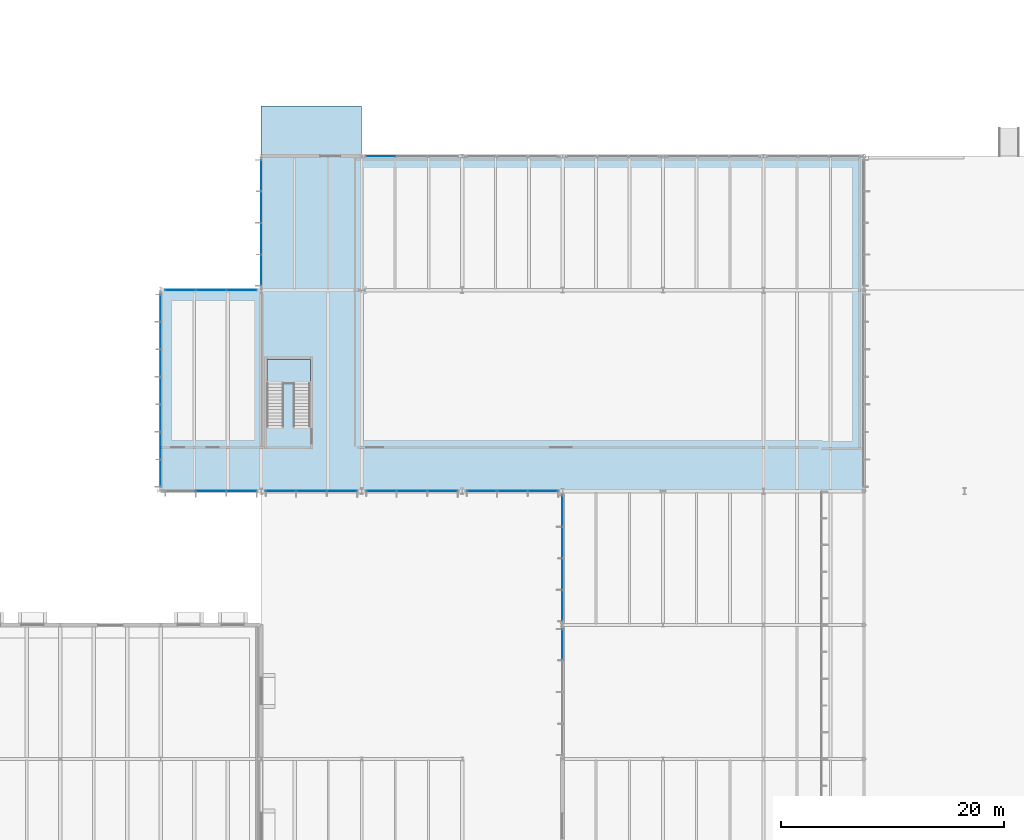
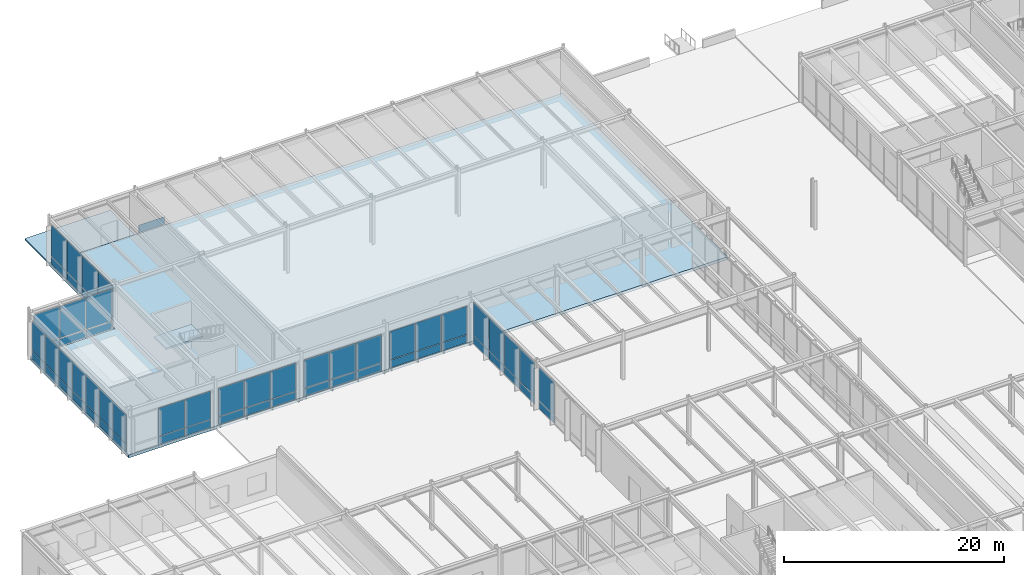
# One storey, part 107 of 143: 61 plates, 3 slabs, 11 elements without a shape of their own.
"""IFC4 building model written with IfcOpenShell, lengths in metres."""

import ifcopenshell
import ifcopenshell.guid

model = None  # the IFC model being written
_history = None  # IfcOwnerHistory: only IFC2X3 demands one
_inside = {}  # id of a spatial element -> (the spatial element, [elements in it])
_under = {}  # id of a project, library or spatial element -> (it, [spatial elements below it])
_declared = {}  # id of a project -> (the project, [libraries it declares])
_typed = {}  # id of a type object -> (the type object, [elements of that type])
_made_of = {}  # id of a material, layer set ... -> (it, [elements and type objects made of it])


def new_model(schema):
    """Start an empty IFC model of exactly this schema.

    Asked for "IFC4X3", IfcOpenShell would pick the latest addendum, in which some entities
    have other attributes; the version numbers below select the first issue.
    IFC2X3 requires an IfcOwnerHistory on every rooted entity: one is made here for all.
    """
    global model, _history
    if schema == "IFC4X3":
        model = ifcopenshell.file(schema_version=(4, 3, 0, 0))
    else:
        model = ifcopenshell.file(schema=schema)
    _inside.clear()
    _under.clear()
    _declared.clear()
    _typed.clear()
    _made_of.clear()
    _history = None
    if model.schema == "IFC2X3":
        org = make("IfcOrganization", Name="unknown")
        user = make(
            "IfcPersonAndOrganization",
            ThePerson=make("IfcPerson", FamilyName="unknown"),
            TheOrganization=org,
        )
        app = make(
            "IfcApplication",
            ApplicationDeveloper=org,
            Version="unknown",
            ApplicationFullName="unknown",
            ApplicationIdentifier="unknown",
        )
        _history = make(
            "IfcOwnerHistory",
            OwningUser=user,
            OwningApplication=app,
            ChangeAction="ADDED",
            CreationDate=0,
        )
    return model


def make(cls, **values):
    """One entity of the class cls with the attributes given. An attribute that is None is left unset."""
    return model.create_entity(
        cls, **{name: value for name, value in values.items() if value is not None}
    )


def rooted(cls, **values):
    """An entity with a GlobalId (a new one), such as an element, a storey or a relation."""
    return make(cls, GlobalId=ifcopenshell.guid.new(), OwnerHistory=_history, **values)


def si_unit(unit_type, name, prefix=None):
    """IfcSIUnit, for example si_unit("LENGTHUNIT", "METRE", prefix="MILLI")."""
    return make("IfcSIUnit", UnitType=unit_type, Prefix=prefix, Name=name)


def assignment(units):
    """IfcUnitAssignment: the units of a project."""
    return None if units is None else make("IfcUnitAssignment", Units=units)


def point(xyz):
    """IfcCartesianPoint."""
    return None if xyz is None else make("IfcCartesianPoint", Coordinates=xyz)


def direction(xyz):
    """IfcDirection."""
    return None if xyz is None else make("IfcDirection", DirectionRatios=xyz)


def frame(location, z_axis=None, x_axis=None):
    """IfcAxis2Placement3D, a coordinate frame: its origin and axes. An axis left out is left unset."""
    return make(
        "IfcAxis2Placement3D",
        Location=point(location),
        Axis=direction(z_axis),
        RefDirection=direction(x_axis),
    )


def frame_2d(location, x_axis=None):
    """IfcAxis2Placement2D, a coordinate frame in the plane: its origin and x axis."""
    return make(
        "IfcAxis2Placement2D", Location=point(location), RefDirection=direction(x_axis)
    )


def origin():
    """The frame at (0, 0, 0) with its axes left unset."""
    return frame((0.0, 0.0, 0.0))


def origin_2d():
    """The frame at (0, 0) in the plane with its x axis left unset."""
    return frame_2d((0.0, 0.0))


def place(relative_to, where):
    """IfcLocalPlacement: puts the frame where relative to a parent placement (None: the world)."""
    return make(
        "IfcLocalPlacement", PlacementRelTo=relative_to, RelativePlacement=where
    )


def context(
    kind, dimensions, precision=None, world=None, true_north=None, identifier=None
):
    """IfcGeometricRepresentationContext, for example the 3D "Model" context."""
    return make(
        "IfcGeometricRepresentationContext",
        ContextIdentifier=identifier,
        ContextType=kind,
        CoordinateSpaceDimension=dimensions,
        Precision=precision,
        WorldCoordinateSystem=world,
        TrueNorth=true_north,
    )


def subcontext(parent, identifier, kind, view, scale=None):
    """IfcGeometricRepresentationSubContext, for example "Body" below "Model"."""
    return make(
        "IfcGeometricRepresentationSubContext",
        ContextIdentifier=identifier,
        ContextType=kind,
        ParentContext=parent,
        TargetScale=scale,
        TargetView=view,
    )


def project(units=None, contexts=None):
    """IfcProject with its units and contexts."""
    return rooted(
        "IfcProject",
        Name="project",
        RepresentationContexts=contexts,
        UnitsInContext=assignment(units),
    )


def spatial(cls, under=None, at=None, **own):
    """A site, building, storey or space (cls), placed at a placement, below another one or the project."""
    s = rooted(cls, ObjectPlacement=at, **own)
    if under is not None:
        _under.setdefault(under.id(), (under, []))[1].append(s)
    return s


def polyline(points):
    """IfcPolyline through the points."""
    return make("IfcPolyline", Points=[point(p) for p in points])


def profile(cls, at=None, kind="AREA", **sizes):
    """A parametric profile (cls). Its sizes go by their IFC names, for example OverallWidth=200.0."""
    return make(cls, ProfileType=kind, Position=at, **sizes)


def rectangle(**sizes):
    """IfcRectangleProfileDef."""
    return profile("IfcRectangleProfileDef", **sizes)


def outline(outer, holes=None, kind="AREA"):
    """IfcArbitraryClosedProfileDef: a profile drawn as a closed curve; with holes, ...WithVoids."""
    if holes is None:
        return make("IfcArbitraryClosedProfileDef", ProfileType=kind, OuterCurve=outer)
    return make(
        "IfcArbitraryProfileDefWithVoids",
        ProfileType=kind,
        OuterCurve=outer,
        InnerCurves=holes,
    )


def extrude(swept, where, along, depth):
    """IfcExtrudedAreaSolid: the profile swept, set in the frame where, extruded along a direction by depth."""
    return make(
        "IfcExtrudedAreaSolid",
        SweptArea=swept,
        Position=where,
        ExtrudedDirection=direction(along),
        Depth=depth,
    )


def shape(context_of_items, identifier, shape_type, items):
    """IfcShapeRepresentation: the items that make up one representation, for example the "Body"."""
    return make(
        "IfcShapeRepresentation",
        ContextOfItems=context_of_items,
        RepresentationIdentifier=identifier,
        RepresentationType=shape_type,
        Items=items,
    )


def material(Name=None, Category=None):
    """IfcMaterial."""
    return make("IfcMaterial", Name=Name, Category=Category)


def layer(
    of_material, thickness, ventilated=None, Name=None, Category=None, Priority=None
):
    """IfcMaterialLayer: one layer of a wall or slab, of a material (None: an air gap)."""
    return make(
        "IfcMaterialLayer",
        Material=of_material,
        LayerThickness=thickness,
        IsVentilated=ventilated,
        Name=Name,
        Category=Category,
        Priority=Priority,
    )


def layer_set(layers, Name=None):
    """IfcMaterialLayerSet."""
    return make("IfcMaterialLayerSet", MaterialLayers=layers, LayerSetName=Name)


def made_of(thing, what):
    """Note that an element or type object is made of a material, layer set ...; save() writes the relation."""
    if what is not None:
        _made_of.setdefault(what.id(), (what, []))[1].append(thing)
    return thing


def type_object(cls, material=None, **own):
    """A type object (cls), such as IfcWallType, which elements share."""
    return made_of(rooted(cls, **own), material)


def element(
    cls,
    number,
    at=None,
    inside=None,
    cuts=None,
    type_object=None,
    material=None,
    context=None,
    identifier="Body",
    shape_type=None,
    held_by="IfcProductDefinitionShape",
    body=None,
    shapes=None,
    **own,
):
    """One element of the class cls, such as IfcWall. Its Tag is "e" and its number.

    at: its placement. inside: the storey or other place that contains it. cuts: it is an
    opening in that element (IfcRelVoidsElement). A single representation is given by context,
    identifier, shape_type and body (its items); several are given by shapes. held_by: the class
    of the entity that holds the representations. save() writes the other relations.
    """
    e = rooted(cls, Tag="e%d" % number, ObjectPlacement=at, **own)
    if body is not None:
        shapes = [shape(context, identifier, shape_type, body)]
    if shapes is not None:
        e.Representation = make(held_by, Representations=shapes)
    if inside is not None:
        _inside.setdefault(inside.id(), (inside, []))[1].append(e)
    if cuts is not None:
        rooted(
            "IfcRelVoidsElement", RelatingBuildingElement=cuts, RelatedOpeningElement=e
        )
    if type_object is not None:
        _typed.setdefault(type_object.id(), (type_object, []))[1].append(e)
    return made_of(e, material)


def aggregate(whole, parts):
    """IfcRelAggregates: a whole, such as a stair, and the parts it consists of."""
    return rooted("IfcRelAggregates", RelatingObject=whole, RelatedObjects=parts)


def save(model, path):
    """Write the relations noted so far, then the file.

    IfcRelAggregates (storeys below a building ...), IfcRelContainedInSpatialStructure (elements
    in a storey), IfcRelDefinesByType, IfcRelAssociatesMaterial and IfcRelDeclares: one each for
    every whole, place, type object, material and project.
    """
    for whole, parts in _under.values():
        aggregate(whole, parts)
    for where, things in _inside.values():
        rooted(
            "IfcRelContainedInSpatialStructure",
            RelatedElements=things,
            RelatingStructure=where,
        )
    for kind, things in _typed.values():
        rooted("IfcRelDefinesByType", RelatedObjects=things, RelatingType=kind)
    for what, things in _made_of.values():
        rooted("IfcRelAssociatesMaterial", RelatedObjects=things, RelatingMaterial=what)
    for by, libraries in _declared.values():
        rooted("IfcRelDeclares", RelatingContext=by, RelatedDefinitions=libraries)
    model.write(path)


model = new_model("IFC4")

# Units and contexts
model_context = context("Model", 3, precision=1e-05, world=origin(), true_north=direction((0.0, 1.0)))
body_context = subcontext(model_context, "Body", "Model", "MODEL_VIEW")
ifc_project = project(units=[si_unit("LENGTHUNIT", "METRE"), si_unit("AREAUNIT", "SQUARE_METRE"), si_unit("VOLUMEUNIT", "CUBIC_METRE"), si_unit("PLANEANGLEUNIT", "RADIAN"), si_unit("MASSUNIT", "GRAM", prefix="KILO")], contexts=[model_context])

# Site, building, storey
site_placement = place(None, origin())
site = spatial("IfcSite", under=ifc_project, at=site_placement, CompositionType="ELEMENT")
building_placement = place(site_placement, origin())
building = spatial("IfcBuilding", under=site, at=building_placement, Name="Montelvaro Courts of Justice", CompositionType="ELEMENT")
storey_placement = place(building_placement, origin())
storey = spatial("IfcBuildingStorey", under=building, at=storey_placement, Name="L00", CompositionType="ELEMENT", Elevation=0.0)

# Curtain wall, plates
ifc_material_1 = material(Name="Anodised aluminium EN AW-6063", Category="aluminium")
ifc_layer_1 = layer(ifc_material_1, 0.159912109375)
ifc_layer_set_1 = layer_set([ifc_layer_1], Name="Anodised aluminium EN AW-6063")
curtain_wall_type_1 = type_object("IfcCurtainWallType", Name="CurtainWall_01_827x508", PredefinedType="USERDEFINED", material=ifc_layer_set_1)
curtain_wall_1_placement = place(storey_placement, origin())
curtain_wall_1 = element("IfcCurtainWall", 1, at=curtain_wall_1_placement, inside=storey, type_object=curtain_wall_type_1, Name="Curtain Wall CW-01 (L00)", ObjectType="CURTAIN WALL", PredefinedType="USERDEFINED")
ifc_material_2 = material(Name="Low-E solar control double glazing", Category="glass")
ifc_layer_2 = layer(ifc_material_2, 0.028076171875)
ifc_layer_set_2 = layer_set([ifc_layer_2], Name="Low-E solar control double glazing")
plate_type = type_object("IfcPlateType", Name="CurtainWall_Glazed_Panel_28", PredefinedType="CURTAIN_PANEL", material=ifc_layer_set_2)
plate_1_placement = place(storey_placement, frame((22.5, 78.0, 0.06005859375), z_axis=(0.0, 0.0, 1.0), x_axis=(1.0, 0.0, 0.0)))
plate_1 = element("IfcPlate", 2, at=plate_1_placement, type_object=plate_type, Name="CW-01 panel 2.1", PredefinedType="CURTAIN_PANEL", context=body_context, shape_type="SweptSolid", body=[
    extrude(rectangle(XDim=2.69677734375, YDim=0.028076171875, at=origin_2d()), origin(), (0.0, 0.0, 1.0), 0.860107421875),
])
plate_2_placement = place(storey_placement, frame((22.5, 78.0, 0.97998046875), z_axis=(0.0, 0.0, 1.0), x_axis=(1.0, 0.0, 0.0)))
plate_2 = element("IfcPlate", 3, at=plate_2_placement, type_object=plate_type, Name="CW-01 panel 2.2", PredefinedType="CURTAIN_PANEL", context=body_context, shape_type="SweptSolid", body=[
    extrude(rectangle(XDim=2.69677734375, YDim=0.028076171875, at=origin_2d()), origin(), (0.0, 0.0, 1.0), 3.125),
])
plate_3_placement = place(storey_placement, frame((25.24169921875, 78.0, 0.06005859375), z_axis=(0.0, 0.0, 1.0), x_axis=(1.0, 0.0, 0.0)))
plate_3 = element("IfcPlate", 4, at=plate_3_placement, type_object=plate_type, Name="CW-01 panel 3.1", PredefinedType="CURTAIN_PANEL", context=body_context, shape_type="SweptSolid", body=[
    extrude(rectangle(XDim=2.666748046875, YDim=0.028076171875, at=origin_2d()), origin(), (0.0, 0.0, 1.0), 0.860107421875),
])
plate_4_placement = place(storey_placement, frame((25.24169921875, 78.0, 0.97998046875), z_axis=(0.0, 0.0, 1.0), x_axis=(1.0, 0.0, 0.0)))
plate_4 = element("IfcPlate", 5, at=plate_4_placement, type_object=plate_type, Name="CW-01 panel 3.2", PredefinedType="CURTAIN_PANEL", context=body_context, shape_type="SweptSolid", body=[
    extrude(rectangle(XDim=2.666748046875, YDim=0.028076171875, at=origin_2d()), origin(), (0.0, 0.0, 1.0), 3.125),
])
aggregate(curtain_wall_1, [plate_1, plate_2, plate_3, plate_4])

curtain_wall_2_placement = place(storey_placement, origin())
curtain_wall_2 = element("IfcCurtainWall", 6, at=curtain_wall_2_placement, inside=storey, type_object=curtain_wall_type_1, Name="Curtain Wall CW-01 (L00)", ObjectType="CURTAIN WALL", PredefinedType="USERDEFINED")
plate_5_placement = place(storey_placement, frame((28.759521484375, 78.0, 0.074951171875), z_axis=(0.0, 0.0, 1.0), x_axis=(1.0, 0.0, 0.0)))
plate_5 = element("IfcPlate", 7, at=plate_5_placement, type_object=plate_type, Name="CW-01 panel 1.1", PredefinedType="CURTAIN_PANEL", context=body_context, shape_type="SweptSolid", body=[
    extrude(rectangle(XDim=2.6591796875, YDim=0.028076171875, at=origin_2d()), origin(), (0.0, 0.0, 1.0), 0.83740234375),
])
plate_6_placement = place(storey_placement, frame((28.759521484375, 78.0, 0.987548828125), z_axis=(0.0, 0.0, 1.0), x_axis=(1.0, 0.0, 0.0)))
plate_6 = element("IfcPlate", 8, at=plate_6_placement, type_object=plate_type, Name="CW-01 panel 1.2", PredefinedType="CURTAIN_PANEL", context=body_context, shape_type="SweptSolid", body=[
    extrude(rectangle(XDim=2.6591796875, YDim=0.028076171875, at=origin_2d()), origin(), (0.0, 0.0, 1.0), 3.1025390625),
])
plate_7_placement = place(storey_placement, frame((31.5, 78.0, 0.074951171875), z_axis=(0.0, 0.0, 1.0), x_axis=(1.0, 0.0, 0.0)))
plate_7 = element("IfcPlate", 9, at=plate_7_placement, type_object=plate_type, Name="CW-01 panel 2.1", PredefinedType="CURTAIN_PANEL", context=body_context, shape_type="SweptSolid", body=[
    extrude(rectangle(XDim=2.691650390625, YDim=0.028076171875, at=origin_2d()), origin(), (0.0, 0.0, 1.0), 0.83740234375),
])
plate_8_placement = place(storey_placement, frame((31.5, 78.0, 0.987548828125), z_axis=(0.0, 0.0, 1.0), x_axis=(1.0, 0.0, 0.0)))
plate_8 = element("IfcPlate", 10, at=plate_8_placement, type_object=plate_type, Name="CW-01 panel 2.2", PredefinedType="CURTAIN_PANEL", context=body_context, shape_type="SweptSolid", body=[
    extrude(rectangle(XDim=2.691650390625, YDim=0.028076171875, at=origin_2d()), origin(), (0.0, 0.0, 1.0), 3.1025390625),
])
plate_9_placement = place(storey_placement, frame((34.240478515625, 78.0, 0.074951171875), z_axis=(0.0, 0.0, 1.0), x_axis=(1.0, 0.0, 0.0)))
plate_9 = element("IfcPlate", 11, at=plate_9_placement, type_object=plate_type, Name="CW-01 panel 3.1", PredefinedType="CURTAIN_PANEL", context=body_context, shape_type="SweptSolid", body=[
    extrude(rectangle(XDim=2.6591796875, YDim=0.028076171875, at=origin_2d()), origin(), (0.0, 0.0, 1.0), 0.83740234375),
])
plate_10_placement = place(storey_placement, frame((34.240478515625, 78.0, 0.987548828125), z_axis=(0.0, 0.0, 1.0), x_axis=(1.0, 0.0, 0.0)))
plate_10 = element("IfcPlate", 12, at=plate_10_placement, type_object=plate_type, Name="CW-01 panel 3.2", PredefinedType="CURTAIN_PANEL", context=body_context, shape_type="SweptSolid", body=[
    extrude(rectangle(XDim=2.6591796875, YDim=0.028076171875, at=origin_2d()), origin(), (0.0, 0.0, 1.0), 3.1025390625),
])
aggregate(curtain_wall_2, [plate_5, plate_6, plate_7, plate_8, plate_9, plate_10])

curtain_wall_3_placement = place(storey_placement, origin())
curtain_wall_3 = element("IfcCurtainWall", 13, at=curtain_wall_3_placement, inside=storey, type_object=curtain_wall_type_1, Name="Curtain Wall CW-01 (L00)", ObjectType="CURTAIN WALL", PredefinedType="USERDEFINED")
plate_11_placement = place(storey_placement, frame((37.761962890625, 78.0, 0.074951171875), z_axis=(0.0, 0.0, 1.0), x_axis=(1.0, 0.0, 0.0)))
plate_11 = element("IfcPlate", 14, at=plate_11_placement, type_object=plate_type, Name="CW-01 panel 1.1", PredefinedType="CURTAIN_PANEL", context=body_context, shape_type="SweptSolid", body=[
    extrude(rectangle(XDim=2.644287109375, YDim=0.028076171875, at=origin_2d()), origin(), (0.0, 0.0, 1.0), 0.83740234375),
])
plate_12_placement = place(storey_placement, frame((37.761962890625, 78.0, 0.987548828125), z_axis=(0.0, 0.0, 1.0), x_axis=(1.0, 0.0, 0.0)))
plate_12 = element("IfcPlate", 15, at=plate_12_placement, type_object=plate_type, Name="CW-01 panel 1.2", PredefinedType="CURTAIN_PANEL", context=body_context, shape_type="SweptSolid", body=[
    extrude(rectangle(XDim=2.644287109375, YDim=0.028076171875, at=origin_2d()), origin(), (0.0, 0.0, 1.0), 3.1025390625),
])
plate_13_placement = place(storey_placement, frame((40.5, 78.0, 0.074951171875), z_axis=(0.0, 0.0, 1.0), x_axis=(1.0, 0.0, 0.0)))
plate_13 = element("IfcPlate", 16, at=plate_13_placement, type_object=plate_type, Name="CW-01 panel 2.1", PredefinedType="CURTAIN_PANEL", context=body_context, shape_type="SweptSolid", body=[
    extrude(rectangle(XDim=2.681640625, YDim=0.028076171875, at=origin_2d()), origin(), (0.0, 0.0, 1.0), 0.83740234375),
])
plate_14_placement = place(storey_placement, frame((40.5, 78.0, 0.987548828125), z_axis=(0.0, 0.0, 1.0), x_axis=(1.0, 0.0, 0.0)))
plate_14 = element("IfcPlate", 17, at=plate_14_placement, type_object=plate_type, Name="CW-01 panel 2.2", PredefinedType="CURTAIN_PANEL", context=body_context, shape_type="SweptSolid", body=[
    extrude(rectangle(XDim=2.681640625, YDim=0.028076171875, at=origin_2d()), origin(), (0.0, 0.0, 1.0), 3.1025390625),
])
plate_15_placement = place(storey_placement, frame((43.238037109375, 78.0, 0.074951171875), z_axis=(0.0, 0.0, 1.0), x_axis=(1.0, 0.0, 0.0)))
plate_15 = element("IfcPlate", 18, at=plate_15_placement, type_object=plate_type, Name="CW-01 panel 3.1", PredefinedType="CURTAIN_PANEL", context=body_context, shape_type="SweptSolid", body=[
    extrude(rectangle(XDim=2.644287109375, YDim=0.028076171875, at=origin_2d()), origin(), (0.0, 0.0, 1.0), 0.83740234375),
])
plate_16_placement = place(storey_placement, frame((43.238037109375, 78.0, 0.987548828125), z_axis=(0.0, 0.0, 1.0), x_axis=(1.0, 0.0, 0.0)))
plate_16 = element("IfcPlate", 19, at=plate_16_placement, type_object=plate_type, Name="CW-01 panel 3.2", PredefinedType="CURTAIN_PANEL", context=body_context, shape_type="SweptSolid", body=[
    extrude(rectangle(XDim=2.644287109375, YDim=0.028076171875, at=origin_2d()), origin(), (0.0, 0.0, 1.0), 3.1025390625),
])
aggregate(curtain_wall_3, [plate_11, plate_12, plate_13, plate_14, plate_15, plate_16])

curtain_wall_4_placement = place(storey_placement, origin())
curtain_wall_4 = element("IfcCurtainWall", 20, at=curtain_wall_4_placement, inside=storey, type_object=curtain_wall_type_1, Name="Curtain Wall CW-01 (L00)", ObjectType="CURTAIN WALL", PredefinedType="USERDEFINED")
plate_17_placement = place(storey_placement, frame((46.761962890625, 78.0, 0.06005859375), z_axis=(0.0, 0.0, 1.0), x_axis=(1.0, 0.0, 0.0)))
plate_17 = element("IfcPlate", 21, at=plate_17_placement, type_object=plate_type, Name="CW-01 panel 1.1", PredefinedType="CURTAIN_PANEL", context=body_context, shape_type="SweptSolid", body=[
    extrude(rectangle(XDim=2.644287109375, YDim=0.028076171875, at=origin_2d()), origin(), (0.0, 0.0, 1.0), 0.860107421875),
])
plate_18_placement = place(storey_placement, frame((46.761962890625, 78.0, 0.97998046875), z_axis=(0.0, 0.0, 1.0), x_axis=(1.0, 0.0, 0.0)))
plate_18 = element("IfcPlate", 22, at=plate_18_placement, type_object=plate_type, Name="CW-01 panel 1.2", PredefinedType="CURTAIN_PANEL", context=body_context, shape_type="SweptSolid", body=[
    extrude(rectangle(XDim=2.644287109375, YDim=0.028076171875, at=origin_2d()), origin(), (0.0, 0.0, 1.0), 3.125),
])
plate_19_placement = place(storey_placement, frame((49.5, 78.0, 0.06005859375), z_axis=(0.0, 0.0, 1.0), x_axis=(1.0, 0.0, 0.0)))
plate_19 = element("IfcPlate", 23, at=plate_19_placement, type_object=plate_type, Name="CW-01 panel 2.1", PredefinedType="CURTAIN_PANEL", context=body_context, shape_type="SweptSolid", body=[
    extrude(rectangle(XDim=2.681640625, YDim=0.028076171875, at=origin_2d()), origin(), (0.0, 0.0, 1.0), 0.860107421875),
])
plate_20_placement = place(storey_placement, frame((49.5, 78.0, 0.97998046875), z_axis=(0.0, 0.0, 1.0), x_axis=(1.0, 0.0, 0.0)))
plate_20 = element("IfcPlate", 24, at=plate_20_placement, type_object=plate_type, Name="CW-01 panel 2.2", PredefinedType="CURTAIN_PANEL", context=body_context, shape_type="SweptSolid", body=[
    extrude(rectangle(XDim=2.681640625, YDim=0.028076171875, at=origin_2d()), origin(), (0.0, 0.0, 1.0), 3.125),
])
plate_21_placement = place(storey_placement, frame((52.238037109375, 78.0, 0.06005859375), z_axis=(0.0, 0.0, 1.0), x_axis=(1.0, 0.0, 0.0)))
plate_21 = element("IfcPlate", 25, at=plate_21_placement, type_object=plate_type, Name="CW-01 panel 3.1", PredefinedType="CURTAIN_PANEL", context=body_context, shape_type="SweptSolid", body=[
    extrude(rectangle(XDim=2.644287109375, YDim=0.028076171875, at=origin_2d()), origin(), (0.0, 0.0, 1.0), 0.860107421875),
])
plate_22_placement = place(storey_placement, frame((52.238037109375, 78.0, 0.97998046875), z_axis=(0.0, 0.0, 1.0), x_axis=(1.0, 0.0, 0.0)))
plate_22 = element("IfcPlate", 26, at=plate_22_placement, type_object=plate_type, Name="CW-01 panel 3.2", PredefinedType="CURTAIN_PANEL", context=body_context, shape_type="SweptSolid", body=[
    extrude(rectangle(XDim=2.644287109375, YDim=0.028076171875, at=origin_2d()), origin(), (0.0, 0.0, 1.0), 3.125),
])
aggregate(curtain_wall_4, [plate_17, plate_18, plate_19, plate_20, plate_21, plate_22])

# Curtain wall, plate
ifc_layer_3 = layer(ifc_material_1, 0.159912109375)
ifc_layer_set_3 = layer_set([ifc_layer_3], Name="Anodised aluminium EN AW-6063")
curtain_wall_type_2 = type_object("IfcCurtainWallType", Name="CurtainWall_05_837x508", PredefinedType="USERDEFINED", material=ifc_layer_set_3)
curtain_wall_5_placement = place(storey_placement, origin())
curtain_wall_5 = element("IfcCurtainWall", 27, at=curtain_wall_5_placement, inside=storey, type_object=curtain_wall_type_2, Name="Curtain Wall CW-05 (L00)", ObjectType="CURTAIN WALL", PredefinedType="USERDEFINED")
plate_23_placement = place(storey_placement, frame((37.72509765625, 108.0, 0.06005859375), z_axis=(0.0, 0.0, 1.0), x_axis=(-1.0, 0.0, 0.0)))
plate_23 = element("IfcPlate", 28, at=plate_23_placement, type_object=plate_type, Name="CW-05 panel 3.1", PredefinedType="CURTAIN_PANEL", context=body_context, shape_type="SweptSolid", body=[
    extrude(rectangle(XDim=2.699951171875, YDim=0.028076171875, at=origin_2d()), origin(), (0.0, 0.0, 1.0), 0.860107421875),
])
aggregate(curtain_wall_5, [plate_23])

# Curtain wall, plates
ifc_layer_4 = layer(ifc_material_1, 0.159912109375)
ifc_layer_set_4 = layer_set([ifc_layer_4], Name="Anodised aluminium EN AW-6063")
curtain_wall_type_3 = type_object("IfcCurtainWallType", Name="CurtainWall_03_1132x508", PredefinedType="USERDEFINED", material=ifc_layer_set_4)
curtain_wall_6_placement = place(storey_placement, origin())
curtain_wall_6 = element("IfcCurtainWall", 29, at=curtain_wall_6_placement, inside=storey, type_object=curtain_wall_type_3, Name="Curtain Wall CW-03 (L00)", ObjectType="CURTAIN WALL", PredefinedType="USERDEFINED")
plate_24_placement = place(storey_placement, frame((27.0, 106.2548828125, 0.074951171875), z_axis=(0.0, 0.0, 1.0), x_axis=(0.0, -1.0, 0.0)))
plate_24 = element("IfcPlate", 30, at=plate_24_placement, type_object=plate_type, Name="CW-03 panel 1.1", PredefinedType="CURTAIN_PANEL", context=body_context, shape_type="SweptSolid", body=[
    extrude(rectangle(XDim=2.739990234375, YDim=0.028076171875, at=origin_2d()), origin(), (0.0, 0.0, 1.0), 0.83740234375),
])
plate_25_placement = place(storey_placement, frame((27.0, 106.2548828125, 0.987548828125), z_axis=(0.0, 0.0, 1.0), x_axis=(0.0, -1.0, 0.0)))
plate_25 = element("IfcPlate", 31, at=plate_25_placement, type_object=plate_type, Name="CW-03 panel 1.2", PredefinedType="CURTAIN_PANEL", context=body_context, shape_type="SweptSolid", body=[
    extrude(rectangle(XDim=2.739990234375, YDim=0.028076171875, at=origin_2d()), origin(), (0.0, 0.0, 1.0), 3.46240234375),
])
plate_26_placement = place(storey_placement, frame((27.0, 103.43994140625, 0.074951171875), z_axis=(0.0, 0.0, 1.0), x_axis=(0.0, -1.0, 0.0)))
plate_26 = element("IfcPlate", 32, at=plate_26_placement, type_object=plate_type, Name="CW-03 panel 2.1", PredefinedType="CURTAIN_PANEL", context=body_context, shape_type="SweptSolid", body=[
    extrude(rectangle(XDim=2.77001953125, YDim=0.028076171875, at=origin_2d()), origin(), (0.0, 0.0, 1.0), 0.83740234375),
])
plate_27_placement = place(storey_placement, frame((27.0, 103.43994140625, 0.987548828125), z_axis=(0.0, 0.0, 1.0), x_axis=(0.0, -1.0, 0.0)))
plate_27 = element("IfcPlate", 33, at=plate_27_placement, type_object=plate_type, Name="CW-03 panel 2.2", PredefinedType="CURTAIN_PANEL", context=body_context, shape_type="SweptSolid", body=[
    extrude(rectangle(XDim=2.77001953125, YDim=0.028076171875, at=origin_2d()), origin(), (0.0, 0.0, 1.0), 3.46240234375),
])
plate_28_placement = place(storey_placement, frame((27.0, 100.610107421875, 0.074951171875), z_axis=(0.0, 0.0, 1.0), x_axis=(0.0, -1.0, 0.0)))
plate_28 = element("IfcPlate", 34, at=plate_28_placement, type_object=plate_type, Name="CW-03 panel 3.1", PredefinedType="CURTAIN_PANEL", context=body_context, shape_type="SweptSolid", body=[
    extrude(rectangle(XDim=2.77001953125, YDim=0.028076171875, at=origin_2d()), origin(), (0.0, 0.0, 1.0), 0.83740234375),
])
plate_29_placement = place(storey_placement, frame((27.0, 100.610107421875, 0.987548828125), z_axis=(0.0, 0.0, 1.0), x_axis=(0.0, -1.0, 0.0)))
plate_29 = element("IfcPlate", 35, at=plate_29_placement, type_object=plate_type, Name="CW-03 panel 3.2", PredefinedType="CURTAIN_PANEL", context=body_context, shape_type="SweptSolid", body=[
    extrude(rectangle(XDim=2.77001953125, YDim=0.028076171875, at=origin_2d()), origin(), (0.0, 0.0, 1.0), 3.46240234375),
])
plate_30_placement = place(storey_placement, frame((27.0, 97.794921875, 0.074951171875), z_axis=(0.0, 0.0, 1.0), x_axis=(0.0, -1.0, 0.0)))
plate_30 = element("IfcPlate", 36, at=plate_30_placement, type_object=plate_type, Name="CW-03 panel 4.1", PredefinedType="CURTAIN_PANEL", context=body_context, shape_type="SweptSolid", body=[
    extrude(rectangle(XDim=2.739990234375, YDim=0.028076171875, at=origin_2d()), origin(), (0.0, 0.0, 1.0), 0.83740234375),
])
plate_31_placement = place(storey_placement, frame((27.0, 97.794921875, 0.987548828125), z_axis=(0.0, 0.0, 1.0), x_axis=(0.0, -1.0, 0.0)))
plate_31 = element("IfcPlate", 37, at=plate_31_placement, type_object=plate_type, Name="CW-03 panel 4.2", PredefinedType="CURTAIN_PANEL", context=body_context, shape_type="SweptSolid", body=[
    extrude(rectangle(XDim=2.739990234375, YDim=0.028076171875, at=origin_2d()), origin(), (0.0, 0.0, 1.0), 3.46240234375),
])
aggregate(curtain_wall_6, [plate_24, plate_25, plate_26, plate_27, plate_28, plate_29, plate_30, plate_31])

curtain_wall_7_placement = place(storey_placement, origin())
curtain_wall_7 = element("IfcCurtainWall", 38, at=curtain_wall_7_placement, inside=storey, type_object=curtain_wall_type_1, Name="Curtain Wall CW-01 (L00)", ObjectType="CURTAIN WALL", PredefinedType="USERDEFINED")
plate_32_placement = place(storey_placement, frame((25.24169921875, 96.0, 0.074951171875), z_axis=(0.0, 0.0, 1.0), x_axis=(-1.0, 0.0, 0.0)))
plate_32 = element("IfcPlate", 39, at=plate_32_placement, type_object=plate_type, Name="CW-01 panel 1.1", PredefinedType="CURTAIN_PANEL", context=body_context, shape_type="SweptSolid", body=[
    extrude(rectangle(XDim=2.666748046875, YDim=0.028076171875, at=origin_2d()), origin(), (0.0, 0.0, 1.0), 0.83740234375),
])
plate_33_placement = place(storey_placement, frame((25.24169921875, 96.0, 0.987548828125), z_axis=(0.0, 0.0, 1.0), x_axis=(-1.0, 0.0, 0.0)))
plate_33 = element("IfcPlate", 40, at=plate_33_placement, type_object=plate_type, Name="CW-01 panel 1.2", PredefinedType="CURTAIN_PANEL", context=body_context, shape_type="SweptSolid", body=[
    extrude(rectangle(XDim=2.666748046875, YDim=0.028076171875, at=origin_2d()), origin(), (0.0, 0.0, 1.0), 3.5224609375),
])
plate_34_placement = place(storey_placement, frame((22.5, 96.0, 0.074951171875), z_axis=(0.0, 0.0, 1.0), x_axis=(-1.0, 0.0, 0.0)))
plate_34 = element("IfcPlate", 41, at=plate_34_placement, type_object=plate_type, Name="CW-01 panel 2.1", PredefinedType="CURTAIN_PANEL", context=body_context, shape_type="SweptSolid", body=[
    extrude(rectangle(XDim=2.69677734375, YDim=0.028076171875, at=origin_2d()), origin(), (0.0, 0.0, 1.0), 0.83740234375),
])
plate_35_placement = place(storey_placement, frame((22.5, 96.0, 0.987548828125), z_axis=(0.0, 0.0, 1.0), x_axis=(-1.0, 0.0, 0.0)))
plate_35 = element("IfcPlate", 42, at=plate_35_placement, type_object=plate_type, Name="CW-01 panel 2.2", PredefinedType="CURTAIN_PANEL", context=body_context, shape_type="SweptSolid", body=[
    extrude(rectangle(XDim=2.69677734375, YDim=0.028076171875, at=origin_2d()), origin(), (0.0, 0.0, 1.0), 3.5224609375),
])
plate_36_placement = place(storey_placement, frame((19.75830078125, 96.0, 0.074951171875), z_axis=(0.0, 0.0, 1.0), x_axis=(-1.0, 0.0, 0.0)))
plate_36 = element("IfcPlate", 43, at=plate_36_placement, type_object=plate_type, Name="CW-01 panel 3.1", PredefinedType="CURTAIN_PANEL", context=body_context, shape_type="SweptSolid", body=[
    extrude(rectangle(XDim=2.666748046875, YDim=0.028076171875, at=origin_2d()), origin(), (0.0, 0.0, 1.0), 0.83740234375),
])
plate_37_placement = place(storey_placement, frame((19.75830078125, 96.0, 0.987548828125), z_axis=(0.0, 0.0, 1.0), x_axis=(-1.0, 0.0, 0.0)))
plate_37 = element("IfcPlate", 44, at=plate_37_placement, type_object=plate_type, Name="CW-01 panel 3.2", PredefinedType="CURTAIN_PANEL", context=body_context, shape_type="SweptSolid", body=[
    extrude(rectangle(XDim=2.666748046875, YDim=0.028076171875, at=origin_2d()), origin(), (0.0, 0.0, 1.0), 3.5224609375),
])
aggregate(curtain_wall_7, [plate_32, plate_33, plate_34, plate_35, plate_36, plate_37])

ifc_layer_5 = layer(ifc_material_1, 0.159912109375)
ifc_layer_set_5 = layer_set([ifc_layer_5], Name="Anodised aluminium EN AW-6063")
curtain_wall_type_4 = type_object("IfcCurtainWallType", Name="CurtainWall_02_1727x508", PredefinedType="USERDEFINED", material=ifc_layer_set_5)
curtain_wall_8_placement = place(storey_placement, origin())
curtain_wall_8 = element("IfcCurtainWall", 45, at=curtain_wall_8_placement, inside=storey, type_object=curtain_wall_type_4, Name="Curtain Wall CW-02 (L00)", ObjectType="CURTAIN WALL", PredefinedType="USERDEFINED")
plate_38_placement = place(storey_placement, frame((18.0, 94.38525390625, 0.06005859375), z_axis=(0.0, 0.0, 1.0), x_axis=(0.0, -1.0, 0.0)))
plate_38 = element("IfcPlate", 46, at=plate_38_placement, type_object=plate_type, Name="CW-02 panel 1.1", PredefinedType="CURTAIN_PANEL", context=body_context, shape_type="SweptSolid", body=[
    extrude(rectangle(XDim=2.36962890625, YDim=0.028076171875, at=origin_2d()), origin(), (0.0, 0.0, 1.0), 0.860107421875),
])
plate_39_placement = place(storey_placement, frame((18.0, 94.38525390625, 0.97998046875), z_axis=(0.0, 0.0, 1.0), x_axis=(0.0, -1.0, 0.0)))
plate_39 = element("IfcPlate", 47, at=plate_39_placement, type_object=plate_type, Name="CW-02 panel 1.2", PredefinedType="CURTAIN_PANEL", context=body_context, shape_type="SweptSolid", body=[
    extrude(rectangle(XDim=2.36962890625, YDim=0.028076171875, at=origin_2d()), origin(), (0.0, 0.0, 1.0), 3.2451171875),
])
plate_40_placement = place(storey_placement, frame((18.0, 91.934326171875, 0.06005859375), z_axis=(0.0, 0.0, 1.0), x_axis=(0.0, -1.0, 0.0)))
plate_40 = element("IfcPlate", 48, at=plate_40_placement, type_object=plate_type, Name="CW-02 panel 2.1", PredefinedType="CURTAIN_PANEL", context=body_context, shape_type="SweptSolid", body=[
    extrude(rectangle(XDim=2.402099609375, YDim=0.028076171875, at=origin_2d()), origin(), (0.0, 0.0, 1.0), 0.860107421875),
])
plate_41_placement = place(storey_placement, frame((18.0, 91.934326171875, 0.97998046875), z_axis=(0.0, 0.0, 1.0), x_axis=(0.0, -1.0, 0.0)))
plate_41 = element("IfcPlate", 49, at=plate_41_placement, type_object=plate_type, Name="CW-02 panel 2.2", PredefinedType="CURTAIN_PANEL", context=body_context, shape_type="SweptSolid", body=[
    extrude(rectangle(XDim=2.402099609375, YDim=0.028076171875, at=origin_2d()), origin(), (0.0, 0.0, 1.0), 3.2451171875),
])
plate_42_placement = place(storey_placement, frame((18.0, 89.467041015625, 0.06005859375), z_axis=(0.0, 0.0, 1.0), x_axis=(0.0, -1.0, 0.0)))
plate_42 = element("IfcPlate", 50, at=plate_42_placement, type_object=plate_type, Name="CW-02 panel 3.1", PredefinedType="CURTAIN_PANEL", context=body_context, shape_type="SweptSolid", body=[
    extrude(rectangle(XDim=2.402099609375, YDim=0.028076171875, at=origin_2d()), origin(), (0.0, 0.0, 1.0), 0.860107421875),
])
plate_43_placement = place(storey_placement, frame((18.0, 89.467041015625, 0.97998046875), z_axis=(0.0, 0.0, 1.0), x_axis=(0.0, -1.0, 0.0)))
plate_43 = element("IfcPlate", 51, at=plate_43_placement, type_object=plate_type, Name="CW-02 panel 3.2", PredefinedType="CURTAIN_PANEL", context=body_context, shape_type="SweptSolid", body=[
    extrude(rectangle(XDim=2.402099609375, YDim=0.028076171875, at=origin_2d()), origin(), (0.0, 0.0, 1.0), 3.2451171875),
])
plate_44_placement = place(storey_placement, frame((18.0, 87.0, 0.06005859375), z_axis=(0.0, 0.0, 1.0), x_axis=(0.0, -1.0, 0.0)))
plate_44 = element("IfcPlate", 52, at=plate_44_placement, type_object=plate_type, Name="CW-02 panel 4.1", PredefinedType="CURTAIN_PANEL", context=body_context, shape_type="SweptSolid", body=[
    extrude(rectangle(XDim=2.402099609375, YDim=0.028076171875, at=origin_2d()), origin(), (0.0, 0.0, 1.0), 0.860107421875),
])
plate_45_placement = place(storey_placement, frame((18.0, 87.0, 0.97998046875), z_axis=(0.0, 0.0, 1.0), x_axis=(0.0, -1.0, 0.0)))
plate_45 = element("IfcPlate", 53, at=plate_45_placement, type_object=plate_type, Name="CW-02 panel 4.2", PredefinedType="CURTAIN_PANEL", context=body_context, shape_type="SweptSolid", body=[
    extrude(rectangle(XDim=2.402099609375, YDim=0.028076171875, at=origin_2d()), origin(), (0.0, 0.0, 1.0), 3.2451171875),
])
plate_46_placement = place(storey_placement, frame((18.0, 84.532958984375, 0.06005859375), z_axis=(0.0, 0.0, 1.0), x_axis=(0.0, -1.0, 0.0)))
plate_46 = element("IfcPlate", 54, at=plate_46_placement, type_object=plate_type, Name="CW-02 panel 5.1", PredefinedType="CURTAIN_PANEL", context=body_context, shape_type="SweptSolid", body=[
    extrude(rectangle(XDim=2.402099609375, YDim=0.028076171875, at=origin_2d()), origin(), (0.0, 0.0, 1.0), 0.860107421875),
])
plate_47_placement = place(storey_placement, frame((18.0, 84.532958984375, 0.97998046875), z_axis=(0.0, 0.0, 1.0), x_axis=(0.0, -1.0, 0.0)))
plate_47 = element("IfcPlate", 55, at=plate_47_placement, type_object=plate_type, Name="CW-02 panel 5.2", PredefinedType="CURTAIN_PANEL", context=body_context, shape_type="SweptSolid", body=[
    extrude(rectangle(XDim=2.402099609375, YDim=0.028076171875, at=origin_2d()), origin(), (0.0, 0.0, 1.0), 3.2451171875),
])
plate_48_placement = place(storey_placement, frame((18.0, 82.065673828125, 0.06005859375), z_axis=(0.0, 0.0, 1.0), x_axis=(0.0, -1.0, 0.0)))
plate_48 = element("IfcPlate", 56, at=plate_48_placement, type_object=plate_type, Name="CW-02 panel 6.1", PredefinedType="CURTAIN_PANEL", context=body_context, shape_type="SweptSolid", body=[
    extrude(rectangle(XDim=2.402099609375, YDim=0.028076171875, at=origin_2d()), origin(), (0.0, 0.0, 1.0), 0.860107421875),
])
plate_49_placement = place(storey_placement, frame((18.0, 82.065673828125, 0.97998046875), z_axis=(0.0, 0.0, 1.0), x_axis=(0.0, -1.0, 0.0)))
plate_49 = element("IfcPlate", 57, at=plate_49_placement, type_object=plate_type, Name="CW-02 panel 6.2", PredefinedType="CURTAIN_PANEL", context=body_context, shape_type="SweptSolid", body=[
    extrude(rectangle(XDim=2.402099609375, YDim=0.028076171875, at=origin_2d()), origin(), (0.0, 0.0, 1.0), 3.2451171875),
])
plate_50_placement = place(storey_placement, frame((18.0, 79.61474609375, 0.06005859375), z_axis=(0.0, 0.0, 1.0), x_axis=(0.0, -1.0, 0.0)))
plate_50 = element("IfcPlate", 58, at=plate_50_placement, type_object=plate_type, Name="CW-02 panel 7.1", PredefinedType="CURTAIN_PANEL", context=body_context, shape_type="SweptSolid", body=[
    extrude(rectangle(XDim=2.36962890625, YDim=0.028076171875, at=origin_2d()), origin(), (0.0, 0.0, 1.0), 0.860107421875),
])
plate_51_placement = place(storey_placement, frame((18.0, 79.61474609375, 0.97998046875), z_axis=(0.0, 0.0, 1.0), x_axis=(0.0, -1.0, 0.0)))
plate_51 = element("IfcPlate", 59, at=plate_51_placement, type_object=plate_type, Name="CW-02 panel 7.2", PredefinedType="CURTAIN_PANEL", context=body_context, shape_type="SweptSolid", body=[
    extrude(rectangle(XDim=2.36962890625, YDim=0.028076171875, at=origin_2d()), origin(), (0.0, 0.0, 1.0), 3.2451171875),
])
aggregate(curtain_wall_8, [plate_38, plate_39, plate_40, plate_41, plate_42, plate_43, plate_44, plate_45, plate_46, plate_47, plate_48, plate_49, plate_50, plate_51])

curtain_wall_9_placement = place(storey_placement, origin())
curtain_wall_9 = element("IfcCurtainWall", 60, at=curtain_wall_9_placement, inside=storey, type_object=curtain_wall_type_3, Name="Curtain Wall CW-03 (L00)", ObjectType="CURTAIN WALL", PredefinedType="USERDEFINED")
plate_52_placement = place(storey_placement, frame((54.0, 76.203857421875, 0.06005859375), z_axis=(0.0, 0.0, 1.0), x_axis=(0.0, -1.0, 0.0)))
plate_52 = element("IfcPlate", 61, at=plate_52_placement, type_object=plate_type, Name="CW-03 panel 1.1", PredefinedType="CURTAIN_PANEL", context=body_context, shape_type="SweptSolid", body=[
    extrude(rectangle(XDim=2.732421875, YDim=0.028076171875, at=origin_2d()), origin(), (0.0, 0.0, 1.0), 0.860107421875),
])
plate_53_placement = place(storey_placement, frame((54.0, 76.203857421875, 0.97998046875), z_axis=(0.0, 0.0, 1.0), x_axis=(0.0, -1.0, 0.0)))
plate_53 = element("IfcPlate", 62, at=plate_53_placement, type_object=plate_type, Name="CW-03 panel 1.2", PredefinedType="CURTAIN_PANEL", context=body_context, shape_type="SweptSolid", body=[
    extrude(rectangle(XDim=2.732421875, YDim=0.028076171875, at=origin_2d()), origin(), (0.0, 0.0, 1.0), 3.68505859375),
])
plate_54_placement = place(storey_placement, frame((54.0, 73.389892578125, 0.06005859375), z_axis=(0.0, 0.0, 1.0), x_axis=(0.0, -1.0, 0.0)))
plate_54 = element("IfcPlate", 63, at=plate_54_placement, type_object=plate_type, Name="CW-03 panel 2.1", PredefinedType="CURTAIN_PANEL", context=body_context, shape_type="SweptSolid", body=[
    extrude(rectangle(XDim=2.764892578125, YDim=0.028076171875, at=origin_2d()), origin(), (0.0, 0.0, 1.0), 0.860107421875),
])
plate_55_placement = place(storey_placement, frame((54.0, 73.389892578125, 0.97998046875), z_axis=(0.0, 0.0, 1.0), x_axis=(0.0, -1.0, 0.0)))
plate_55 = element("IfcPlate", 64, at=plate_55_placement, type_object=plate_type, Name="CW-03 panel 2.2", PredefinedType="CURTAIN_PANEL", context=body_context, shape_type="SweptSolid", body=[
    extrude(rectangle(XDim=2.764892578125, YDim=0.028076171875, at=origin_2d()), origin(), (0.0, 0.0, 1.0), 3.68505859375),
])
plate_56_placement = place(storey_placement, frame((54.0, 70.56005859375, 0.06005859375), z_axis=(0.0, 0.0, 1.0), x_axis=(0.0, -1.0, 0.0)))
plate_56 = element("IfcPlate", 65, at=plate_56_placement, type_object=plate_type, Name="CW-03 panel 3.1", PredefinedType="CURTAIN_PANEL", context=body_context, shape_type="SweptSolid", body=[
    extrude(rectangle(XDim=2.764892578125, YDim=0.028076171875, at=origin_2d()), origin(), (0.0, 0.0, 1.0), 0.860107421875),
])
plate_57_placement = place(storey_placement, frame((54.0, 70.56005859375, 0.97998046875), z_axis=(0.0, 0.0, 1.0), x_axis=(0.0, -1.0, 0.0)))
plate_57 = element("IfcPlate", 66, at=plate_57_placement, type_object=plate_type, Name="CW-03 panel 3.2", PredefinedType="CURTAIN_PANEL", context=body_context, shape_type="SweptSolid", body=[
    extrude(rectangle(XDim=2.764892578125, YDim=0.028076171875, at=origin_2d()), origin(), (0.0, 0.0, 1.0), 3.68505859375),
])
plate_58_placement = place(storey_placement, frame((54.0, 67.746337890625, 0.06005859375), z_axis=(0.0, 0.0, 1.0), x_axis=(0.0, -1.0, 0.0)))
plate_58 = element("IfcPlate", 67, at=plate_58_placement, type_object=plate_type, Name="CW-03 panel 4.1", PredefinedType="CURTAIN_PANEL", context=body_context, shape_type="SweptSolid", body=[
    extrude(rectangle(XDim=2.732421875, YDim=0.028076171875, at=origin_2d()), origin(), (0.0, 0.0, 1.0), 0.860107421875),
])
plate_59_placement = place(storey_placement, frame((54.0, 67.746337890625, 0.97998046875), z_axis=(0.0, 0.0, 1.0), x_axis=(0.0, -1.0, 0.0)))
plate_59 = element("IfcPlate", 68, at=plate_59_placement, type_object=plate_type, Name="CW-03 panel 4.2", PredefinedType="CURTAIN_PANEL", context=body_context, shape_type="SweptSolid", body=[
    extrude(rectangle(XDim=2.732421875, YDim=0.028076171875, at=origin_2d()), origin(), (0.0, 0.0, 1.0), 3.68505859375),
])
aggregate(curtain_wall_9, [plate_52, plate_53, plate_54, plate_55, plate_56, plate_57, plate_58, plate_59])

ifc_layer_6 = layer(ifc_material_1, 0.159912109375)
ifc_layer_set_6 = layer_set([ifc_layer_6], Name="Anodised aluminium EN AW-6063")
curtain_wall_type_5 = type_object("IfcCurtainWallType", Name="CurtainWall_08_1137x508", PredefinedType="USERDEFINED", material=ifc_layer_set_6)
curtain_wall_10_placement = place(storey_placement, origin())
curtain_wall_10 = element("IfcCurtainWall", 69, at=curtain_wall_10_placement, inside=storey, type_object=curtain_wall_type_5, Name="Curtain Wall CW-08 (L00)", ObjectType="CURTAIN WALL", PredefinedType="USERDEFINED")
plate_60_placement = place(storey_placement, frame((54.0, 64.2451171875, 0.074951171875), z_axis=(0.0, 0.0, 1.0), x_axis=(0.0, -1.0, 0.0)))
plate_60 = element("IfcPlate", 70, at=plate_60_placement, type_object=plate_type, Name="CW-08 panel 1.1", PredefinedType="CURTAIN_PANEL", context=body_context, shape_type="SweptSolid", body=[
    extrude(rectangle(XDim=2.72998046875, YDim=0.028076171875, at=origin_2d()), origin(), (0.0, 0.0, 1.0), 0.83740234375),
])
plate_61_placement = place(storey_placement, frame((54.0, 64.2451171875, 0.987548828125), z_axis=(0.0, 0.0, 1.0), x_axis=(0.0, -1.0, 0.0)))
plate_61 = element("IfcPlate", 71, at=plate_61_placement, type_object=plate_type, Name="CW-08 panel 1.2", PredefinedType="CURTAIN_PANEL", context=body_context, shape_type="SweptSolid", body=[
    extrude(rectangle(XDim=2.72998046875, YDim=0.028076171875, at=origin_2d()), origin(), (0.0, 0.0, 1.0), 3.66259765625),
])
aggregate(curtain_wall_10, [plate_60, plate_61])

# Slabs
ifc_material_3 = material(Name="Concrete C35/45", Category="concrete")
ifc_layer_7 = layer(ifc_material_3, 0.320068359375)
ifc_layer_set_7 = layer_set([ifc_layer_7], Name="Concrete C35/45")
slab_type_1 = type_object("IfcSlabType", Name="FloorSlab_320", PredefinedType="FLOOR", material=ifc_layer_set_7)
slab_1_placement = place(storey_placement, frame((0.0, 0.0, -0.320068359375)))
element("IfcSlab", 72, at=slab_1_placement, inside=storey, type_object=slab_type_1, Name="Structural Slab SF-01 L00", PredefinedType="FLOOR", context=body_context, shape_type="SweptSolid", body=[
    extrude(outline(polyline([(18.0, 78.0), (80.949951171875, 78.0), (80.949951171875, 108.0), (27.0, 108.0), (27.0, 96.0), (18.0, 96.0), (18.0, 78.0)])), origin(), (0.0, 0.0, 1.0), 0.320068359375),
])
ifc_layer_8 = layer(ifc_material_3, 0.179931640625)
ifc_layer_set_8 = layer_set([ifc_layer_8], Name="Concrete C35/45")
slab_type_2 = type_object("IfcSlabType", Name="PavingSlab_180", PredefinedType="USERDEFINED", material=ifc_layer_set_8)
slab_2_placement = place(storey_placement, frame((0.0, 0.0, -0.179931640625)))
element("IfcSlab", 73, at=slab_2_placement, inside=storey, type_object=slab_type_2, Name="Exterior Civic Paving SP-01", ObjectType="PAVING", PredefinedType="USERDEFINED", context=body_context, shape_type="SweptSolid", body=[
    extrude(outline(polyline([(27.0, 112.5), (36.0, 112.5), (36.0, 108.02001953125), (27.0, 108.02001953125), (27.0, 112.5)])), origin(), (0.0, 0.0, 1.0), 0.179931640625),
])

# Stair, slab
stair_type = type_object("IfcStairType", Name="ProtectedStair_150", PredefinedType="HALF_TURN_STAIR", material=ifc_material_3)
stair_placement = place(storey_placement, origin())
stair = element("IfcStair", 74, at=stair_placement, inside=storey, type_object=stair_type, Name="Protected Stair ST-P1-L00", PredefinedType="HALF_TURN_STAIR")
ifc_layer_9 = layer(ifc_material_3, 0.199951171875)
ifc_layer_set_9 = layer_set([ifc_layer_9], Name="Concrete C35/45")
slab_type_3 = type_object("IfcSlabType", Name="StairLanding_200", PredefinedType="LANDING", material=ifc_layer_set_9)
slab_3_placement = place(storey_placement, frame((0.0, 0.0, 2.5)))
slab_3 = element("IfcSlab", 75, at=slab_3_placement, type_object=slab_type_3, Name="ST-P1-L00 landing 1", PredefinedType="LANDING", context=body_context, shape_type="SweptSolid", body=[
    extrude(outline(polyline([(27.5, 87.635009765625), (31.39990234375, 87.635009765625), (31.39990234375, 89.800048828125), (27.5, 89.800048828125), (27.5, 87.635009765625)])), origin(), (0.0, 0.0, 1.0), 0.199951171875),
])
aggregate(stair, [slab_3])

save(model, "model.ifc")
